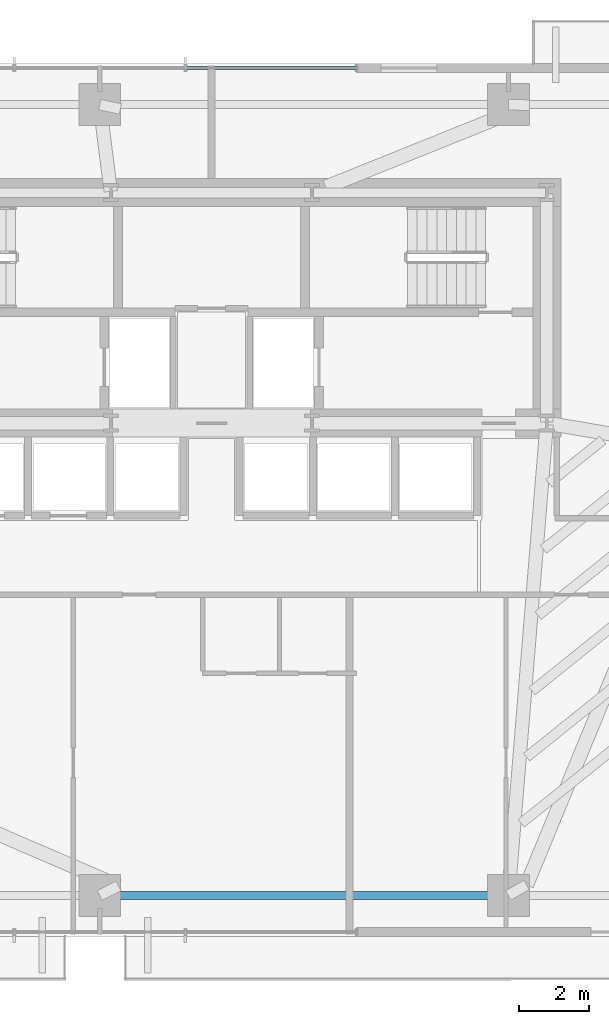
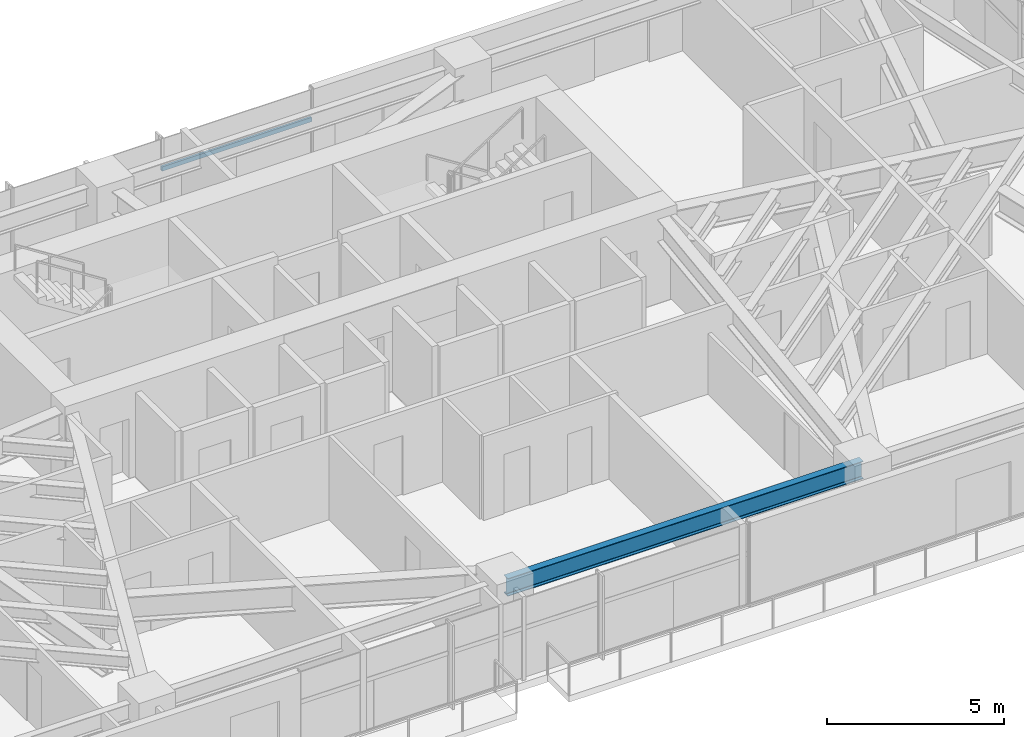
# One storey, part 11 of 25: 1 beam, 1 member, 1 element without a shape of its own.
"""IFC4 building model written with IfcOpenShell, lengths in metres."""

from ifc_helpers import new_model, si_unit, direction, frame, origin, origin_2d, place, context, subcontext, project, spatial, hollow_rectangle, i_section, extrude, source, transform, mapped, material, material_profile, profile_set, type_object, type_shapes, element, aggregate, save


model = new_model("IFC4")

# Units and contexts
model_context = context("Model", 3, precision=1e-05, world=origin(), true_north=direction((0.0, 1.0)))
body_context = subcontext(model_context, "Body", "Model", "MODEL_VIEW")
ifc_project = project(units=[si_unit("LENGTHUNIT", "METRE"), si_unit("AREAUNIT", "SQUARE_METRE"), si_unit("VOLUMEUNIT", "CUBIC_METRE"), si_unit("PLANEANGLEUNIT", "RADIAN"), si_unit("MASSUNIT", "GRAM", prefix="KILO")], contexts=[model_context])

# Site, building, storey
site_placement = place(None, origin())
site = spatial("IfcSite", under=ifc_project, at=site_placement, CompositionType="ELEMENT")
building_placement = place(site_placement, origin())
building = spatial("IfcBuilding", under=site, at=building_placement, Name="Astriad Promenade Condominiums", CompositionType="ELEMENT")
storey_placement = place(building_placement, frame((0.0, 0.0, 64.60009765625)))
storey = spatial("IfcBuildingStorey", under=building, at=storey_placement, Name="L18", CompositionType="ELEMENT", Elevation=64.60009765625)

# Beam
ifc_material_1 = material(Name="Steel ASTM A992 Grade 50", Category="steel")
ifc_material_profile_1 = material_profile(ifc_material_1, i_section(OverallWidth=0.22900390625, OverallDepth=0.612060546875, WebThickness=0.011962890625, FlangeThickness=0.01953125, FilletRadius=0.017822265625, at=origin_2d()), Name="W24X84")
ifc_profile_set_1 = profile_set([ifc_material_profile_1], Name="Steel ASTM A992 Grade 50")
beam_type = type_object("IfcBeamType", Name="STEEL SPANDREL BEAM W24X84", PredefinedType="SPANDREL", material=ifc_profile_set_1)
shared_shape_1 = source(origin(), body_context, "Body", "SweptSolid", [
    extrude(i_section(OverallWidth=0.22900390625, OverallDepth=0.612060546875, WebThickness=0.011962890625, FlangeThickness=0.01953125, FilletRadius=0.017822265625, at=origin_2d()), origin(), (0.0, 0.0, 1.0), 11.619873046875),
])
type_shapes(beam_type, [shared_shape_1])
beam_placement = place(storey_placement, frame((32.840087890625, 3.8798828125, 2.593994140625), z_axis=(1.0, 0.0, 0.0), x_axis=(0.0, 1.0, 0.0)))
element("IfcBeam", 1, at=beam_placement, inside=storey, type_object=beam_type, Name="Perimeter Spandrel Beam SP-S3-L18", PredefinedType="SPANDREL", context=body_context, shape_type="MappedRepresentation", body=[
    mapped(shared_shape_1, transform((0.0, 0.0, 0.0), scale=1.0)),
])

# Curtain wall, member
ifc_material_2 = material(Name="Anodised aluminium Black Dark Glass Unitised", Category="aluminium")
curtain_wall_type = type_object("IfcCurtainWallType", Name="CW-B1-DARK", PredefinedType="USERDEFINED", material=ifc_material_2)
curtain_wall_placement = place(storey_placement, origin())
curtain_wall = element("IfcCurtainWall", 2, at=curtain_wall_placement, inside=storey, type_object=curtain_wall_type, Name="CW-L18-N", ObjectType="UNITISED_CURTAIN_WALL", PredefinedType="USERDEFINED")
ifc_material_3 = material(Name="Anodised aluminium 6063-T6 Black", Category="aluminium")
ifc_material_profile_2 = material_profile(ifc_material_3, hollow_rectangle(XDim=0.074951171875, YDim=0.14990234375, WallThickness=0.004150390625, at=origin_2d()), Name="ALU-TRN-75X150")
ifc_profile_set_2 = profile_set([ifc_material_profile_2], Name="Anodised aluminium 6063-T6 Black")
member_type = type_object("IfcMemberType", Name="TRN-ALU-TRN-75X150", PredefinedType="USERDEFINED", material=ifc_profile_set_2)
shared_shape_2 = source(origin(), body_context, "Body", "SweptSolid", [
    extrude(hollow_rectangle(XDim=0.074951171875, YDim=0.14990234375, WallThickness=0.004150390625, at=origin_2d()), origin(), (0.0, 0.0, 1.0), 4.89990234375),
])
type_shapes(member_type, [shared_shape_2])
member_placement = place(storey_placement, frame((35.25, 27.570068359375, 1.7978515625), z_axis=(1.0, 0.0, 0.0), x_axis=(0.0, 1.0, 0.0)))
member = element("IfcMember", 3, at=member_placement, type_object=member_type, Name="CW-L18-N-TRN-02-0", ObjectType="TRANSOM", PredefinedType="USERDEFINED", context=body_context, shape_type="MappedRepresentation", body=[
    mapped(shared_shape_2, transform((0.0, 0.0, 0.0), scale=1.0)),
])
aggregate(curtain_wall, [member])

save(model, "model.ifc")
